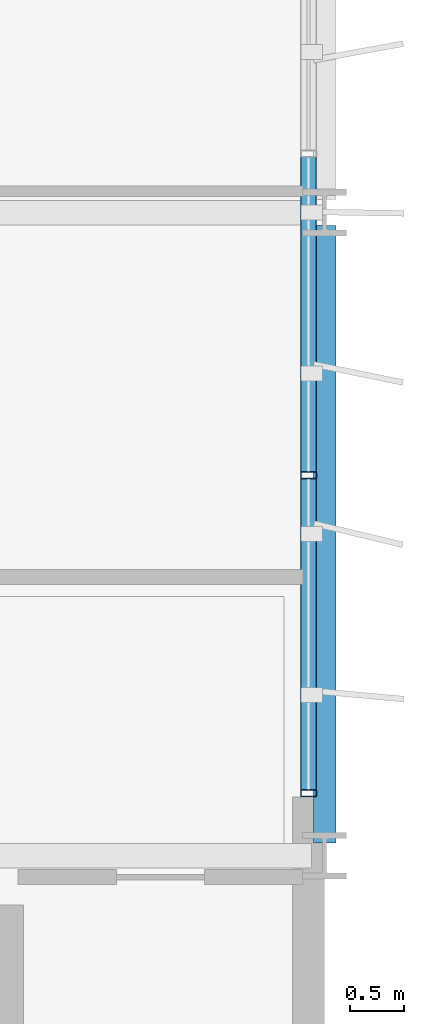
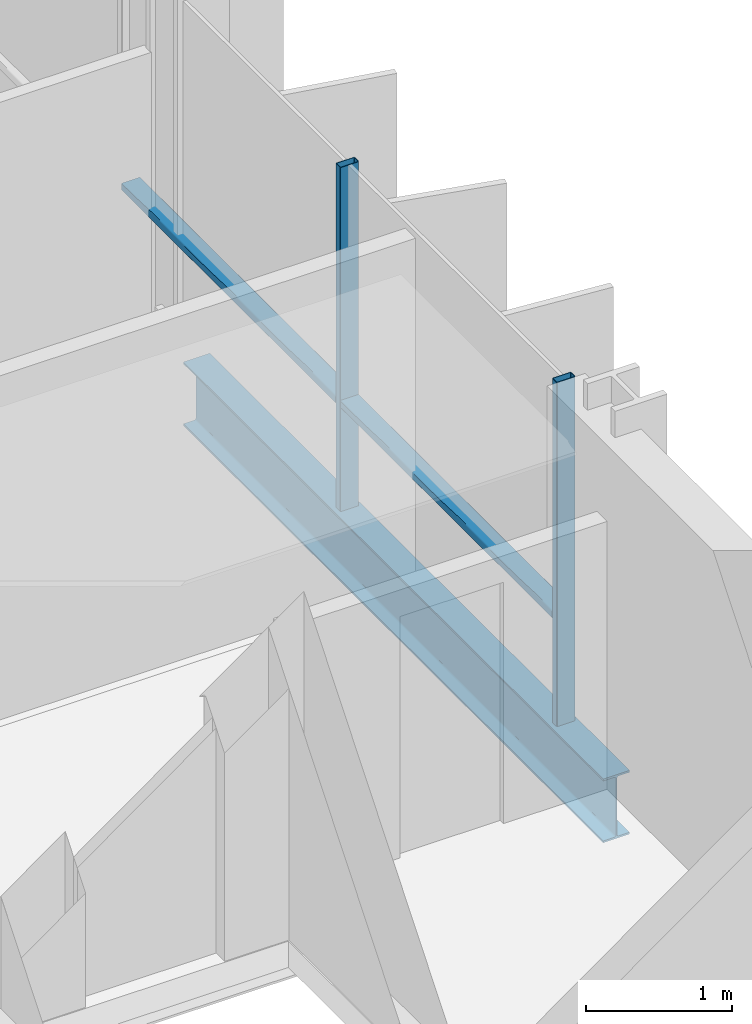
# One storey, part 15 of 38: 4 members, 1 beam, 1 element without a shape of its own.
"""IFC4 building model written with IfcOpenShell, lengths in metres."""

from ifc_helpers import new_model, si_unit, direction, frame, origin, origin_2d, place, context, subcontext, project, spatial, hollow_rectangle, i_section, extrude, material, layer, layer_set, material_profile, profile_set, type_object, element, aggregate, save


model = new_model("IFC4")

# Units and contexts
model_context = context("Model", 3, precision=1e-05, world=origin(), true_north=direction((0.0, 1.0)))
body_context = subcontext(model_context, "Body", "Model", "MODEL_VIEW")
ifc_project = project(units=[si_unit("LENGTHUNIT", "METRE"), si_unit("AREAUNIT", "SQUARE_METRE"), si_unit("VOLUMEUNIT", "CUBIC_METRE"), si_unit("PLANEANGLEUNIT", "RADIAN"), si_unit("MASSUNIT", "GRAM", prefix="KILO")], contexts=[model_context])

# Site, building, storey
site_placement = place(None, origin())
site = spatial("IfcSite", under=ifc_project, at=site_placement, CompositionType="ELEMENT")
building_placement = place(site_placement, origin())
building = spatial("IfcBuilding", under=site, at=building_placement, Name="Brevholm Reach", CompositionType="ELEMENT")
storey_placement = place(building_placement, frame((0.0, 0.0, 122.10009765625)))
storey = spatial("IfcBuildingStorey", under=building, at=storey_placement, Name="L36", CompositionType="ELEMENT", Elevation=122.10009765625)

# Beam
ifc_material_1 = material(Name="Structural Steel S355J2", Category="steel")
ifc_material_profile_1 = material_profile(ifc_material_1, i_section(OverallWidth=0.209228515625, OverallDepth=0.533203125, WebThickness=0.010009765625, FlangeThickness=0.015625, FilletRadius=0.0126953125, at=origin_2d()), Name="UKB 533x210x92")
ifc_profile_set_1 = profile_set([ifc_material_profile_1], Name="Structural Steel S355J2")
beam_type = type_object("IfcBeamType", Name="BM-SP533", PredefinedType="SPANDREL", material=ifc_profile_set_1)
beam_placement = place(storey_placement, frame((60.0, 10.1201171875, -0.486572265625), z_axis=(0.0, 1.0, 0.0), x_axis=(-1.0, 0.0, 0.0)))
element("IfcBeam", 1, at=beam_placement, inside=storey, type_object=beam_type, Name="L36 SP-02 Framing Beam", PredefinedType="SPANDREL", context=body_context, shape_type="SweptSolid", body=[
    extrude(i_section(OverallWidth=0.209228515625, OverallDepth=0.533203125, WebThickness=0.010009765625, FlangeThickness=0.015625, FilletRadius=0.0126953125, at=origin_2d()), origin(), (0.0, 0.0, 1.0), 5.759765625),
])

# Curtain wall, members
ifc_material_2 = material(Name="Dark Anodised Aluminium 6063-T6 and Solar-Control Glass", Category="aluminium")
ifc_layer = layer(ifc_material_2, 0.14990234375)
ifc_layer_set = layer_set([ifc_layer], Name="Dark Anodised Aluminium 6063-T6 and Solar-Control Glass")
curtain_wall_type = type_object("IfcCurtainWallType", Name="CW-01", PredefinedType="NOTDEFINED", material=ifc_layer_set)
curtain_wall_placement = place(storey_placement, origin())
curtain_wall = element("IfcCurtainWall", 2, at=curtain_wall_placement, inside=storey, type_object=curtain_wall_type, Name="L36 Curtain Wall CW-01", PredefinedType="NOTDEFINED")
ifc_material_3 = material(Name="Dark Anodised Aluminium 6063-T6", Category="aluminium")
ifc_material_profile_2 = material_profile(ifc_material_3, hollow_rectangle(XDim=0.06494140625, YDim=0.14990234375, WallThickness=0.0048828125, InnerFilletRadius=0.0048828125, OuterFilletRadius=0.010009765625, at=origin_2d()), Name="RHS 150x65x5")
ifc_profile_set_2 = profile_set([ifc_material_profile_2], Name="Dark Anodised Aluminium 6063-T6")
member_type_1 = type_object("IfcMemberType", Name="CWM-150", PredefinedType="MULLION", material=ifc_profile_set_2)
member_1_placement = place(storey_placement, frame((59.85009765625, 10.58251953125, 0.0), z_axis=(0.0, 0.0, 1.0), x_axis=(0.0, 1.0, 0.0)))
member_1 = element("IfcMember", 3, at=member_1_placement, type_object=member_type_1, Name="CM-150 Mullion 1", PredefinedType="MULLION", context=body_context, shape_type="SweptSolid", body=[
    extrude(hollow_rectangle(XDim=0.06494140625, YDim=0.14990234375, WallThickness=0.0048828125, InnerFilletRadius=0.0048828125, OuterFilletRadius=0.010009765625, at=origin_2d()), origin(), (0.0, 0.0, 1.0), 2.8798828125),
])
member_2_placement = place(storey_placement, frame((59.85009765625, 13.550048828125, 0.0), z_axis=(0.0, 0.0, 1.0), x_axis=(0.0, 1.0, 0.0)))
member_2 = element("IfcMember", 4, at=member_2_placement, type_object=member_type_1, Name="CM-150 Mullion 2", PredefinedType="MULLION", context=body_context, shape_type="SweptSolid", body=[
    extrude(hollow_rectangle(XDim=0.06494140625, YDim=0.14990234375, WallThickness=0.0048828125, InnerFilletRadius=0.0048828125, OuterFilletRadius=0.010009765625, at=origin_2d()), origin(), (0.0, 0.0, 1.0), 2.8798828125),
])
ifc_material_4 = material(Name="Dark Anodised Aluminium 6063-T6", Category="aluminium")
ifc_material_profile_3 = material_profile(ifc_material_4, hollow_rectangle(XDim=0.06494140625, YDim=0.14990234375, WallThickness=0.0048828125, InnerFilletRadius=0.0048828125, OuterFilletRadius=0.010009765625, at=origin_2d()), Name="RHS 150x65x5")
ifc_profile_set_3 = profile_set([ifc_material_profile_3], Name="Dark Anodised Aluminium 6063-T6")
member_type_2 = type_object("IfcMemberType", Name="CWT-150", PredefinedType="NOTDEFINED", material=ifc_profile_set_3)
member_3_placement = place(storey_placement, frame((59.85009765625, 10.614990234375, 0.89990234375), z_axis=(0.0, 1.0, 0.0), x_axis=(0.0, 0.0, 1.0)))
member_3 = element("IfcMember", 5, at=member_3_placement, type_object=member_type_2, Name="CT-150 Transom 1.1", ObjectType="TRANSOM", PredefinedType="USERDEFINED", context=body_context, shape_type="SweptSolid", body=[
    extrude(hollow_rectangle(XDim=0.06494140625, YDim=0.14990234375, WallThickness=0.0048828125, InnerFilletRadius=0.0048828125, OuterFilletRadius=0.010009765625, at=origin_2d()), origin(), (0.0, 0.0, 1.0), 2.902587890625),
])
member_4_placement = place(storey_placement, frame((59.85009765625, 13.58251953125, 0.89990234375), z_axis=(0.0, 1.0, 0.0), x_axis=(0.0, 0.0, 1.0)))
member_4 = element("IfcMember", 6, at=member_4_placement, type_object=member_type_2, Name="CT-150 Transom 2.1", ObjectType="TRANSOM", PredefinedType="USERDEFINED", context=body_context, shape_type="SweptSolid", body=[
    extrude(hollow_rectangle(XDim=0.06494140625, YDim=0.14990234375, WallThickness=0.0048828125, InnerFilletRadius=0.0048828125, OuterFilletRadius=0.010009765625, at=origin_2d()), origin(), (0.0, 0.0, 1.0), 2.93505859375),
])
aggregate(curtain_wall, [member_1, member_2, member_3, member_4])

save(model, "model.ifc")
